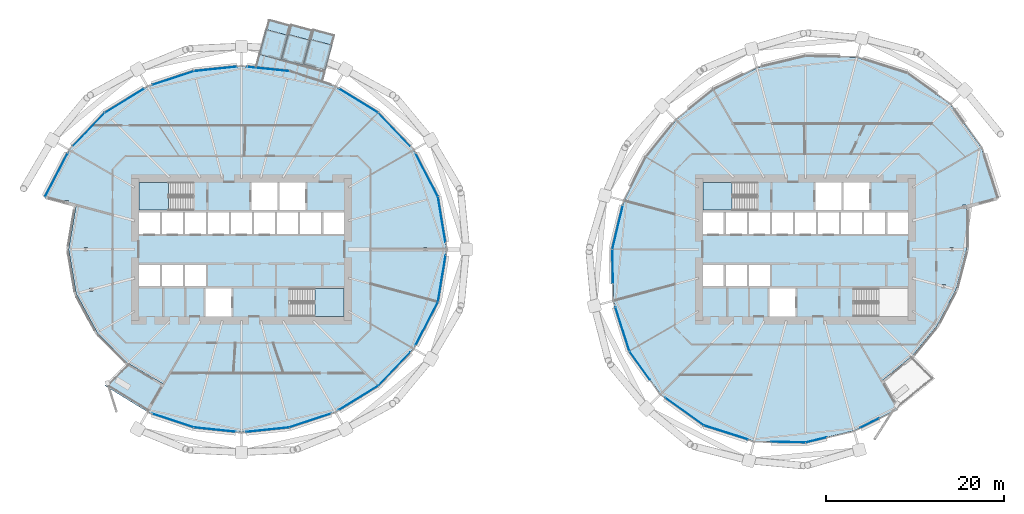
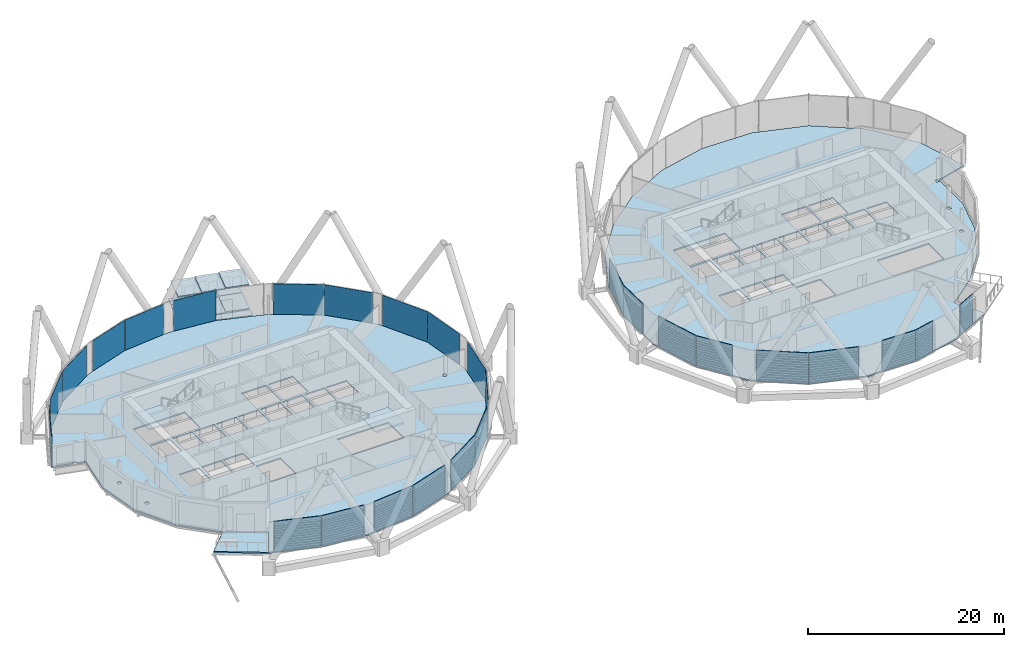
# One storey, part 22 of 40: 27 plates, 16 slabs, 5 elements without a shape of their own.
"""IFC4 building model written with IfcOpenShell, lengths in metres."""

from ifc_helpers import new_model, si_unit, direction, frame, origin, origin_2d, place, context, subcontext, project, spatial, polyline, rectangle, outline, extrude, material, layer, layer_set, type_object, element, aggregate, save


model = new_model("IFC4")

# Units and contexts
model_context = context("Model", 3, precision=1e-05, world=origin(), true_north=direction((0.0, 1.0)))
body_context = subcontext(model_context, "Body", "Model", "MODEL_VIEW")
ifc_project = project(units=[si_unit("LENGTHUNIT", "METRE"), si_unit("AREAUNIT", "SQUARE_METRE"), si_unit("VOLUMEUNIT", "CUBIC_METRE"), si_unit("PLANEANGLEUNIT", "RADIAN"), si_unit("MASSUNIT", "GRAM", prefix="KILO")], contexts=[model_context])

# Site, building, storey
site_placement = place(None, origin())
site = spatial("IfcSite", under=ifc_project, at=site_placement, CompositionType="ELEMENT")
building_placement = place(site_placement, origin())
building = spatial("IfcBuilding", under=site, at=building_placement, Name="Rimbun Link Towers", CompositionType="ELEMENT")
storey_placement = place(building_placement, frame((0.0, 0.0, 52.800048828125)))
storey = spatial("IfcBuildingStorey", under=building, at=storey_placement, Name="L12", CompositionType="ELEMENT", Elevation=52.800048828125)

# Slabs
ifc_material_1 = material(Name="Insulated metal floor panel on steel frame", Category="steel")
ifc_layer_1 = layer(ifc_material_1, 0.159912109375)
ifc_layer_set_1 = layer_set([ifc_layer_1], Name="CAPSULE balcony panel 160")
slab_type_1 = type_object("IfcSlabType", Name="CAPSULE balcony panel 160", PredefinedType="FLOOR", material=ifc_layer_set_1)
slab_1_placement = place(storey_placement, frame((0.0, 0.0, -0.16015625)))
element("IfcSlab", 1, at=slab_1_placement, inside=storey, type_object=slab_type_1, Name="CAPSULE D121.01 balcony floor", PredefinedType="FLOOR", context=body_context, shape_type="SweptSolid", body=[
    extrude(outline(polyline([(-26.317138671875, 25.168701171875), (-28.63330078125, 25.797119140625), (-28.92138671875, 24.735595703125), (-26.60498046875, 24.107177734375), (-26.317138671875, 25.168701171875)])), origin(), (0.0, 0.0, 1.0), 0.16015625),
])
slab_2_placement = place(storey_placement, frame((0.0, 0.0, -0.16015625)))
element("IfcSlab", 2, at=slab_2_placement, inside=storey, type_object=slab_type_1, Name="CAPSULE D121.02 balcony floor", PredefinedType="FLOOR", context=body_context, shape_type="SweptSolid", body=[
    extrude(outline(polyline([(-23.827392578125, 24.6171875), (-26.1435546875, 25.24560546875), (-26.431640625, 24.18408203125), (-24.115478515625, 23.5556640625), (-23.827392578125, 24.6171875)])), origin(), (0.0, 0.0, 1.0), 0.16015625),
])
slab_3_placement = place(storey_placement, frame((0.0, 0.0, -0.16015625)))
element("IfcSlab", 3, at=slab_3_placement, inside=storey, type_object=slab_type_1, Name="CAPSULE D121.03 balcony floor", PredefinedType="FLOOR", context=body_context, shape_type="SweptSolid", body=[
    extrude(outline(polyline([(-21.337646484375, 24.065673828125), (-23.654052734375, 24.694091796875), (-23.942138671875, 23.632568359375), (-21.625732421875, 23.004150390625), (-21.337646484375, 24.065673828125)])), origin(), (0.0, 0.0, 1.0), 0.16015625),
])
slab_4_placement = place(storey_placement, frame((0.0, 0.0, -0.16015625)))
element("IfcSlab", 4, at=slab_4_placement, inside=storey, type_object=slab_type_1, Name="CAPSULE D121 gallery floor", PredefinedType="FLOOR", context=body_context, shape_type="SweptSolid", body=[
    extrude(outline(polyline([(-25.95361328125, 20.0498046875), (-25.96923828125, 20.002197265625), (-24.602294921875, 19.54931640625), (-24.586669921875, 19.5966796875), (-22.670654296875, 18.9619140625), (-22.399658203125, 19.961181640625), (-29.72900390625, 21.949951171875), (-30.1015625, 20.576416015625), (-26.35009765625, 20.18115234375), (-25.95361328125, 20.0498046875)])), origin(), (0.0, 0.0, 1.0), 0.16015625),
])
ifc_material_2 = material(Name="Insulated metal floor panel on steel frame", Category="steel")
ifc_layer_2 = layer(ifc_material_2, 0.159912109375)
ifc_layer_set_2 = layer_set([ifc_layer_2], Name="CAPSULE floor panel 160")
slab_type_2 = type_object("IfcSlabType", Name="CAPSULE floor panel 160", PredefinedType="FLOOR", material=ifc_layer_set_2)
slab_5_placement = place(storey_placement, frame((0.0, 0.0, -0.16015625)))
element("IfcSlab", 5, at=slab_5_placement, inside=storey, type_object=slab_type_2, Name="CAPSULE D121.01 floor panel", PredefinedType="FLOOR", context=body_context, shape_type="SweptSolid", body=[
    extrude(outline(polyline([(-26.556884765625, 24.093994140625), (-28.969482421875, 24.748779296875), (-29.72900390625, 21.949951171875), (-27.316162109375, 21.295166015625), (-26.556884765625, 24.093994140625)])), origin(), (0.0, 0.0, 1.0), 0.16015625),
])
slab_6_placement = place(storey_placement, frame((0.0, 0.0, -0.16015625)))
element("IfcSlab", 6, at=slab_6_placement, inside=storey, type_object=slab_type_2, Name="CAPSULE D121.02 floor panel", PredefinedType="FLOOR", context=body_context, shape_type="SweptSolid", body=[
    extrude(outline(polyline([(-24.067138671875, 23.54248046875), (-26.47998046875, 24.197265625), (-27.2392578125, 21.3984375), (-24.82666015625, 20.74365234375), (-24.067138671875, 23.54248046875)])), origin(), (0.0, 0.0, 1.0), 0.16015625),
])
slab_7_placement = place(storey_placement, frame((0.0, 0.0, -0.16015625)))
element("IfcSlab", 7, at=slab_7_placement, inside=storey, type_object=slab_type_2, Name="CAPSULE D121.03 floor panel", PredefinedType="FLOOR", context=body_context, shape_type="SweptSolid", body=[
    extrude(outline(polyline([(-21.57763671875, 22.990966796875), (-23.990234375, 23.645751953125), (-24.749755859375, 20.846923828125), (-22.3369140625, 20.192138671875), (-21.57763671875, 22.990966796875)])), origin(), (0.0, 0.0, 1.0), 0.16015625),
])
ifc_material_3 = material(Name="Insulated metal roof panel with terracotta fascia", Category="masonry")
ifc_layer_3 = layer(ifc_material_3, 0.14990234375)
ifc_layer_set_3 = layer_set([ifc_layer_3], Name="CAPSULE roof panel 150")
slab_type_3 = type_object("IfcSlabType", Name="CAPSULE roof panel 150", PredefinedType="ROOF", material=ifc_layer_set_3)
slab_8_placement = place(storey_placement, frame((0.0, 0.0, 2.849853515625)))
element("IfcSlab", 8, at=slab_8_placement, inside=storey, type_object=slab_type_3, Name="CAPSULE D121.01 roof panel", PredefinedType="ROOF", context=body_context, shape_type="SweptSolid", body=[
    extrude(outline(polyline([(-26.556884765625, 24.093994140625), (-28.969482421875, 24.748779296875), (-29.72900390625, 21.949951171875), (-27.316162109375, 21.295166015625), (-26.556884765625, 24.093994140625)])), origin(), (0.0, 0.0, 1.0), 0.150146484375),
])
slab_9_placement = place(storey_placement, frame((0.0, 0.0, 2.849853515625)))
element("IfcSlab", 9, at=slab_9_placement, inside=storey, type_object=slab_type_3, Name="CAPSULE D121.02 roof panel", PredefinedType="ROOF", context=body_context, shape_type="SweptSolid", body=[
    extrude(outline(polyline([(-24.067138671875, 23.54248046875), (-26.47998046875, 24.197265625), (-27.2392578125, 21.3984375), (-24.82666015625, 20.74365234375), (-24.067138671875, 23.54248046875)])), origin(), (0.0, 0.0, 1.0), 0.150146484375),
])
slab_10_placement = place(storey_placement, frame((0.0, 0.0, 2.849853515625)))
element("IfcSlab", 10, at=slab_10_placement, inside=storey, type_object=slab_type_3, Name="CAPSULE D121.03 roof panel", PredefinedType="ROOF", context=body_context, shape_type="SweptSolid", body=[
    extrude(outline(polyline([(-21.57763671875, 22.990966796875), (-23.990234375, 23.645751953125), (-24.749755859375, 20.846923828125), (-22.3369140625, 20.192138671875), (-21.57763671875, 22.990966796875)])), origin(), (0.0, 0.0, 1.0), 0.150146484375),
])
ifc_material_4 = material(Name="Concrete C35/45", Category="concrete")
ifc_layer_4 = layer(ifc_material_4, 0.159912109375)
ifc_layer_set_4 = layer_set([ifc_layer_4], Name="COMPOSITE FLOOR 160")
slab_type_4 = type_object("IfcSlabType", Name="COMPOSITE FLOOR 160", PredefinedType="FLOOR", material=ifc_layer_set_4)
slab_11_placement = place(storey_placement, frame((0.0, 0.0, -0.16015625)))
element("IfcSlab", 11, at=slab_11_placement, inside=storey, type_object=slab_type_4, Name="Floor slab T1 L12", PredefinedType="FLOOR", context=body_context, shape_type="SweptSolid", body=[
    extrude(outline(polyline([(-53.847412109375, 5.9208984375), (-51.12353515625, 11.185302734375), (-47.115478515625, 15.365478515625), (-42.321044921875, 18.3095703125), (-37.117919921875, 20.03369140625), (-31.75, 20.59912109375), (-26.382080078125, 20.03369140625), (-21.178955078125, 18.3095703125), (-16.384521484375, 15.365478515625), (-12.37646484375, 11.185302734375), (-9.652587890625, 5.9208984375), (-8.678955078125, 0.0), (-9.652587890625, -5.9208984375), (-12.37646484375, -11.185302734375), (-16.384521484375, -15.365478515625), (-21.178955078125, -18.3095703125), (-26.382080078125, -20.03369140625), (-31.75, -20.59912109375), (-37.117919921875, -20.03369140625), (-42.321044921875, -18.3095703125), (-40.52099609375, -15.19189453125), (-44.570068359375, -12.820068359375), (-48.005859375, -9.38525390625), (-50.3701171875, -4.9892578125), (-51.220947265625, 0.0), (-50.3701171875, 4.9892578125), (-51.259033203125, 5.227294921875), (-51.259033203125, 5.477783203125), (-51.658203125, 5.477783203125), (-51.658203125, 5.33447265625), (-53.847412109375, 5.9208984375)]), holes=[polyline([(-32.89990234375, -7.550048828125), (-32.89990234375, -4.39990234375), (-35.800048828125, -4.39990234375), (-35.800048828125, -7.550048828125), (-32.89990234375, -7.550048828125)]), polyline([(-48.450927734375, -4.72509765625), (-48.450927734375, -4.33154296875), (-48.849853515625, -4.33154296875), (-48.849853515625, -4.72509765625), (-48.450927734375, -4.72509765625)]), polyline([(-40.95556640625, -4.14990234375), (-40.95556640625, -1.75), (-43.300048828125, -1.75), (-43.300048828125, -4.14990234375), (-40.95556640625, -4.14990234375)]), polyline([(-40.70556640625, -4.14990234375), (-38.361083984375, -4.14990234375), (-38.361083984375, -1.75), (-40.70556640625, -1.75), (-40.70556640625, -4.14990234375)]), polyline([(-38.111083984375, -4.14990234375), (-35.7666015625, -4.14990234375), (-35.7666015625, -1.75), (-38.111083984375, -1.75), (-38.111083984375, -4.14990234375)]), polyline([(-49.11279296875, -0.19677734375), (-49.11279296875, 0.19677734375), (-49.51171875, 0.19677734375), (-49.51171875, -0.19677734375), (-49.11279296875, -0.19677734375)]), polyline([(-40.95556640625, 1.75), (-40.95556640625, 4.14990234375), (-43.300048828125, 4.14990234375), (-43.300048828125, 1.75), (-40.95556640625, 1.75)]), polyline([(-38.361083984375, 1.75), (-38.361083984375, 4.14990234375), (-40.70556640625, 4.14990234375), (-40.70556640625, 1.75), (-38.361083984375, 1.75)]), polyline([(-38.111083984375, 1.75), (-35.7666015625, 1.75), (-35.7666015625, 4.14990234375), (-38.111083984375, 4.14990234375), (-38.111083984375, 1.75)]), polyline([(-37.260009765625, 4.39990234375), (-37.260009765625, 7.550048828125), (-43.300048828125, 7.550048828125), (-43.300048828125, 4.39990234375), (-37.260009765625, 4.39990234375)]), polyline([(-20.199951171875, -7.550048828125), (-20.199951171875, -4.39990234375), (-26.239990234375, -4.39990234375), (-26.239990234375, -7.550048828125), (-20.199951171875, -7.550048828125)]), polyline([(-10.85791015625, -0.19677734375), (-10.85791015625, 0.19677734375), (-11.2568359375, 0.19677734375), (-11.2568359375, -0.19677734375), (-10.85791015625, -0.19677734375)]), polyline([(-35.5166015625, 1.75), (-33.172119140625, 1.75), (-33.172119140625, 4.14990234375), (-35.5166015625, 4.14990234375), (-35.5166015625, 1.75)]), polyline([(-32.922119140625, 1.75), (-30.577880859375, 1.75), (-30.577880859375, 4.14990234375), (-32.922119140625, 4.14990234375), (-32.922119140625, 1.75)]), polyline([(-27.9833984375, 1.75), (-27.9833984375, 4.14990234375), (-30.327880859375, 4.14990234375), (-30.327880859375, 1.75), (-27.9833984375, 1.75)]), polyline([(-27.7333984375, 1.75), (-25.388916015625, 1.75), (-25.388916015625, 4.14990234375), (-27.7333984375, 4.14990234375), (-27.7333984375, 1.75)]), polyline([(-25.138916015625, 1.75), (-22.79443359375, 1.75), (-22.79443359375, 4.14990234375), (-25.138916015625, 4.14990234375), (-25.138916015625, 1.75)]), polyline([(-20.199951171875, 1.75), (-20.199951171875, 4.14990234375), (-22.54443359375, 4.14990234375), (-22.54443359375, 1.75), (-20.199951171875, 1.75)]), polyline([(-30.60009765625, 4.39990234375), (-27.699951171875, 4.39990234375), (-27.699951171875, 7.550048828125), (-30.60009765625, 7.550048828125), (-30.60009765625, 4.39990234375)]), polyline([(-27.449951171875, 4.39990234375), (-24.550048828125, 4.39990234375), (-24.550048828125, 7.550048828125), (-27.449951171875, 7.550048828125), (-27.449951171875, 4.39990234375)])]), origin(), (0.0, 0.0, 1.0), 0.16015625),
])
slab_12_placement = place(storey_placement, frame((0.0, 0.0, -0.16015625)))
element("IfcSlab", 12, at=slab_12_placement, inside=storey, type_object=slab_type_4, Name="Floor slab T2 L12", PredefinedType="FLOOR", context=body_context, shape_type="SweptSolid", body=[
    extrude(outline(polyline([(37.221923828125, -20.421630859375), (31.75, -21.730224609375), (25.960205078125, -21.6083984375), (20.3115234375, -19.81201171875), (15.436279296875, -16.313720703125), (11.93798828125, -11.4384765625), (10.1416015625, -5.789794921875), (10.019775390625, 0.0), (11.328369140625, 5.471923828125), (13.788330078125, 10.3701171875), (17.184326171875, 14.565673828125), (21.3798828125, 17.961669921875), (26.278076171875, 20.421630859375), (31.75, 21.730224609375), (37.539794921875, 21.6083984375), (43.1884765625, 19.81201171875), (48.063720703125, 16.313720703125), (51.56201171875, 11.4384765625), (53.3583984375, 5.789794921875), (49.880859375, 4.858154296875), (49.88037109375, 0.0), (48.6943359375, -4.540283203125), (46.593994140625, -8.5703125), (43.770263671875, -12.020263671875), (40.3203125, -14.843994140625), (42.1201171875, -17.961669921875), (37.221923828125, -20.421630859375)]), holes=[polyline([(30.60009765625, -7.550048828125), (30.60009765625, -4.39990234375), (27.699951171875, -4.39990234375), (27.699951171875, -7.550048828125), (30.60009765625, -7.550048828125)]), polyline([(22.54443359375, -4.14990234375), (22.54443359375, -1.75), (20.199951171875, -1.75), (20.199951171875, -4.14990234375), (22.54443359375, -4.14990234375)]), polyline([(25.138916015625, -4.14990234375), (25.138916015625, -1.75), (22.79443359375, -1.75), (22.79443359375, -4.14990234375), (25.138916015625, -4.14990234375)]), polyline([(25.388916015625, -4.14990234375), (27.7333984375, -4.14990234375), (27.7333984375, -1.75), (25.388916015625, -1.75), (25.388916015625, -4.14990234375)]), polyline([(20.199951171875, 1.75), (22.54443359375, 1.75), (22.54443359375, 4.14990234375), (20.199951171875, 4.14990234375), (20.199951171875, 1.75)]), polyline([(25.138916015625, 1.75), (25.138916015625, 4.14990234375), (22.79443359375, 4.14990234375), (22.79443359375, 1.75), (25.138916015625, 1.75)]), polyline([(27.7333984375, 1.75), (27.7333984375, 4.14990234375), (25.388916015625, 4.14990234375), (25.388916015625, 1.75), (27.7333984375, 1.75)]), polyline([(30.327880859375, 1.75), (30.327880859375, 4.14990234375), (27.9833984375, 4.14990234375), (27.9833984375, 1.75), (30.327880859375, 1.75)]), polyline([(30.577880859375, 1.75), (32.922119140625, 1.75), (32.922119140625, 4.14990234375), (30.577880859375, 4.14990234375), (30.577880859375, 1.75)]), polyline([(20.199951171875, 4.39990234375), (26.239990234375, 4.39990234375), (26.239990234375, 7.550048828125), (20.199951171875, 7.550048828125), (20.199951171875, 4.39990234375)]), polyline([(43.300048828125, -7.550048828125), (43.300048828125, -4.39990234375), (37.260009765625, -4.39990234375), (37.260009765625, -7.550048828125), (43.300048828125, -7.550048828125)]), polyline([(47.509765625, -4.3662109375), (47.509765625, -3.972412109375), (47.110595703125, -3.972412109375), (47.110595703125, -4.3662109375), (47.509765625, -4.3662109375)]), polyline([(48.434814453125, -0.19677734375), (48.434814453125, 0.19677734375), (48.03564453125, 0.19677734375), (48.03564453125, -0.19677734375), (48.434814453125, -0.19677734375)]), polyline([(33.172119140625, 1.75), (35.5166015625, 1.75), (35.5166015625, 4.14990234375), (33.172119140625, 4.14990234375), (33.172119140625, 1.75)]), polyline([(35.7666015625, 1.75), (38.111083984375, 1.75), (38.111083984375, 4.14990234375), (35.7666015625, 4.14990234375), (35.7666015625, 1.75)]), polyline([(40.70556640625, 1.75), (40.70556640625, 4.14990234375), (38.361083984375, 4.14990234375), (38.361083984375, 1.75), (40.70556640625, 1.75)]), polyline([(43.300048828125, 1.75), (43.300048828125, 4.14990234375), (40.95556640625, 4.14990234375), (40.95556640625, 1.75), (43.300048828125, 1.75)]), polyline([(49.837890625, 4.596435546875), (49.837890625, 4.989990234375), (49.43896484375, 4.989990234375), (49.43896484375, 4.596435546875), (49.837890625, 4.596435546875)]), polyline([(32.89990234375, 4.39990234375), (35.800048828125, 4.39990234375), (35.800048828125, 7.550048828125), (32.89990234375, 7.550048828125), (32.89990234375, 4.39990234375)]), polyline([(36.050048828125, 4.39990234375), (38.949951171875, 4.39990234375), (38.949951171875, 7.550048828125), (36.050048828125, 7.550048828125), (36.050048828125, 4.39990234375)])]), origin(), (0.0, 0.0, 1.0), 0.16015625),
])

# Curtain wall, plate
ifc_material_5 = material(Name="Aluminium 6063-T6 and low-iron glass", Category="aluminium")
curtain_wall_type = type_object("IfcCurtainWallType", Name="CW1 unitised vision wall", PredefinedType="NOTDEFINED", material=ifc_material_5)
curtain_wall_1_placement = place(storey_placement, origin())
curtain_wall_1 = element("IfcCurtainWall", 13, at=curtain_wall_1_placement, inside=storey, type_object=curtain_wall_type, Name="CW1 L12 T2", PredefinedType="NOTDEFINED")
ifc_material_6 = material(Name="Aluminium cladding, insulated panel", Category="aluminium")
ifc_layer_5 = layer(ifc_material_6, 0.028076171875)
ifc_layer_set_5 = layer_set([ifc_layer_5], Name="CW1 insulated panel Aluminium cladding 28")
plate_type_1 = type_object("IfcPlateType", Name="CW1 insulated panel Aluminium cladding 28", PredefinedType="CURTAIN_PANEL", material=ifc_layer_set_5)
plate_1_placement = place(storey_placement, frame((38.96240234375, -19.563232421875, 0.0), z_axis=(0.0, 0.0, 1.0), x_axis=(-0.893637652343, -0.448789200311, 0.0)))
plate_1 = element("IfcPlate", 14, at=plate_1_placement, type_object=plate_type_1, Name="CW1 insulated panel", PredefinedType="CURTAIN_PANEL", context=body_context, shape_type="SweptSolid", body=[
    extrude(rectangle(XDim=2.34130859375, YDim=0.028076171875, at=origin_2d()), origin(), (0.0, 0.0, 1.0), 3.800048828125),
])

# Curtain wall, plates
curtain_wall_2_placement = place(storey_placement, origin())
curtain_wall_2 = element("IfcCurtainWall", 15, at=curtain_wall_2_placement, inside=storey, type_object=curtain_wall_type, Name="CW1 L12 T1", PredefinedType="NOTDEFINED")
ifc_material_7 = material(Name="Low-iron glass, laminated low-e unit", Category="glass")
ifc_layer_6 = layer(ifc_material_7, 0.028076171875)
ifc_layer_set_6 = layer_set([ifc_layer_6], Name="CW1 panel Low-iron glass 28")
plate_type_2 = type_object("IfcPlateType", Name="CW1 panel Low-iron glass 28", PredefinedType="CURTAIN_PANEL", material=ifc_layer_set_6)
plate_2_placement = place(storey_placement, frame((-9.217041015625, 3.357421875, 0.0), z_axis=(0.0, 0.0, 1.0), x_axis=(0.162269061749, -0.986746548815, 0.0)))
plate_2 = element("IfcPlate", 16, at=plate_2_placement, type_object=plate_type_2, Name="CW1 panel", PredefinedType="CURTAIN_PANEL", context=body_context, shape_type="SweptSolid", body=[
    extrude(rectangle(XDim=5.16064453125, YDim=0.028076171875, at=origin_2d()), origin(), (0.0, 0.0, 1.0), 3.800048828125),
])
plate_3_placement = place(storey_placement, frame((-10.898681640625, 8.35986328125, 0.0), z_axis=(0.0, 0.0, 1.0), x_axis=(0.459540871589, -0.888156623203, 0.0)))
plate_3 = element("IfcPlate", 17, at=plate_3_placement, type_object=plate_type_2, Name="CW1 panel", PredefinedType="CURTAIN_PANEL", context=body_context, shape_type="SweptSolid", body=[
    extrude(rectangle(XDim=5.437255859375, YDim=0.028076171875, at=origin_2d()), origin(), (0.0, 0.0, 1.0), 3.800048828125),
])
plate_4_placement = place(storey_placement, frame((-14.560546875, 13.483642578125, 0.0), z_axis=(0.0, 0.0, 1.0), x_axis=(0.692065488922, -0.721834717261, 0.0)))
plate_4 = element("IfcPlate", 18, at=plate_4_placement, type_object=plate_type_2, Name="CW1 panel", PredefinedType="CURTAIN_PANEL", context=body_context, shape_type="SweptSolid", body=[
    extrude(rectangle(XDim=5.201171875, YDim=0.028076171875, at=origin_2d()), origin(), (0.0, 0.0, 1.0), 3.800048828125),
])
plate_5_placement = place(storey_placement, frame((-18.58251953125, 16.731689453125, 0.0), z_axis=(0.0, 0.0, 1.0), x_axis=(0.852183322336, -0.523243332621, 0.0)))
plate_5 = element("IfcPlate", 19, at=plate_5_placement, type_object=plate_type_2, Name="CW1 panel", PredefinedType="CURTAIN_PANEL", context=body_context, shape_type="SweptSolid", body=[
    extrude(rectangle(XDim=5.13623046875, YDim=0.028076171875, at=origin_2d()), origin(), (0.0, 0.0, 1.0), 3.800048828125),
])
plate_6_placement = place(storey_placement, frame((-28.7412109375, 20.29638671875, 0.0), z_axis=(0.0, 0.0, 1.0), x_axis=(0.994498750915, -0.104748434017, 0.0)))
plate_6 = element("IfcPlate", 20, at=plate_6_placement, type_object=plate_type_2, Name="CW1 panel", PredefinedType="CURTAIN_PANEL", context=body_context, shape_type="SweptSolid", body=[
    extrude(rectangle(XDim=4.707763671875, YDim=0.028076171875, at=origin_2d()), origin(), (0.0, 0.0, 1.0), 3.800048828125),
])
plate_7_placement = place(storey_placement, frame((-34.68408203125, 20.30419921875, 0.0), z_axis=(0.0, 0.0, 1.0), x_axis=(0.994498750915, 0.104748434017, 0.0)))
plate_7 = element("IfcPlate", 21, at=plate_7_placement, type_object=plate_type_2, Name="CW1 panel", PredefinedType="CURTAIN_PANEL", context=body_context, shape_type="SweptSolid", body=[
    extrude(rectangle(XDim=4.857666015625, YDim=0.028076171875, at=origin_2d()), origin(), (0.0, 0.0, 1.0), 3.800048828125),
])
plate_8_placement = place(storey_placement, frame((-39.462890625, 19.271484375, 0.0), z_axis=(0.0, 0.0, 1.0), x_axis=(0.949236457235, 0.314563424855, 0.0)))
plate_8 = element("IfcPlate", 22, at=plate_8_placement, type_object=plate_type_2, Name="CW1 panel", PredefinedType="CURTAIN_PANEL", context=body_context, shape_type="SweptSolid", body=[
    extrude(rectangle(XDim=4.891357421875, YDim=0.028076171875, at=origin_2d()), origin(), (0.0, 0.0, 1.0), 3.800048828125),
])
plate_9_placement = place(storey_placement, frame((-44.91748046875, 16.731689453125, 0.0), z_axis=(0.0, 0.0, 1.0), x_axis=(0.852183322336, 0.523243332621, 0.0)))
plate_9 = element("IfcPlate", 23, at=plate_9_placement, type_object=plate_type_2, Name="CW1 panel", PredefinedType="CURTAIN_PANEL", context=body_context, shape_type="SweptSolid", body=[
    extrude(rectangle(XDim=5.13623046875, YDim=0.028076171875, at=origin_2d()), origin(), (0.0, 0.0, 1.0), 3.800048828125),
])
plate_10_placement = place(storey_placement, frame((-48.939453125, 13.483642578125, 0.0), z_axis=(0.0, 0.0, 1.0), x_axis=(0.692065488922, 0.721834717261, 0.0)))
plate_10 = element("IfcPlate", 24, at=plate_10_placement, type_object=plate_type_2, Name="CW1 panel", PredefinedType="CURTAIN_PANEL", context=body_context, shape_type="SweptSolid", body=[
    extrude(rectangle(XDim=5.201171875, YDim=0.028076171875, at=origin_2d()), origin(), (0.0, 0.0, 1.0), 3.800048828125),
])
plate_11_placement = place(storey_placement, frame((-52.601318359375, 8.35986328125, 0.0), z_axis=(0.0, 0.0, 1.0), x_axis=(0.459540871589, 0.888156623203, 0.0)))
plate_11 = element("IfcPlate", 25, at=plate_11_placement, type_object=plate_type_2, Name="CW1 panel", PredefinedType="CURTAIN_PANEL", context=body_context, shape_type="SweptSolid", body=[
    extrude(rectangle(XDim=5.437255859375, YDim=0.028076171875, at=origin_2d()), origin(), (0.0, 0.0, 1.0), 3.800048828125),
])
plate_12_placement = place(storey_placement, frame((-39.462890625, -19.271484375, 0.0), z_axis=(0.0, 0.0, 1.0), x_axis=(-0.949236457235, 0.314563424855, 0.0)))
plate_12 = element("IfcPlate", 26, at=plate_12_placement, type_object=plate_type_2, Name="CW1 panel", PredefinedType="CURTAIN_PANEL", context=body_context, shape_type="SweptSolid", body=[
    extrude(rectangle(XDim=4.891357421875, YDim=0.028076171875, at=origin_2d()), origin(), (0.0, 0.0, 1.0), 3.800048828125),
])
plate_13_placement = place(storey_placement, frame((-34.7587890625, -20.29638671875, 0.0), z_axis=(0.0, 0.0, 1.0), x_axis=(-0.994498750915, 0.104748434017, 0.0)))
plate_13 = element("IfcPlate", 27, at=plate_13_placement, type_object=plate_type_2, Name="CW1 panel", PredefinedType="CURTAIN_PANEL", context=body_context, shape_type="SweptSolid", body=[
    extrude(rectangle(XDim=4.707763671875, YDim=0.028076171875, at=origin_2d()), origin(), (0.0, 0.0, 1.0), 3.800048828125),
])
plate_14_placement = place(storey_placement, frame((-28.81591796875, -20.30419921875, 0.0), z_axis=(0.0, 0.0, 1.0), x_axis=(-0.994498750915, -0.104748434017, 0.0)))
plate_14 = element("IfcPlate", 28, at=plate_14_placement, type_object=plate_type_2, Name="CW1 panel", PredefinedType="CURTAIN_PANEL", context=body_context, shape_type="SweptSolid", body=[
    extrude(rectangle(XDim=4.857666015625, YDim=0.028076171875, at=origin_2d()), origin(), (0.0, 0.0, 1.0), 3.800048828125),
])
plate_15_placement = place(storey_placement, frame((-24.037109375, -19.271484375, 0.0), z_axis=(0.0, 0.0, 1.0), x_axis=(-0.949236457235, -0.314563424855, 0.0)))
plate_15 = element("IfcPlate", 29, at=plate_15_placement, type_object=plate_type_2, Name="CW1 panel", PredefinedType="CURTAIN_PANEL", context=body_context, shape_type="SweptSolid", body=[
    extrude(rectangle(XDim=4.891357421875, YDim=0.028076171875, at=origin_2d()), origin(), (0.0, 0.0, 1.0), 3.800048828125),
])
plate_16_placement = place(storey_placement, frame((-18.58251953125, -16.731689453125, 0.0), z_axis=(0.0, 0.0, 1.0), x_axis=(-0.852183322336, -0.523243332621, 0.0)))
plate_16 = element("IfcPlate", 30, at=plate_16_placement, type_object=plate_type_2, Name="CW1 panel", PredefinedType="CURTAIN_PANEL", context=body_context, shape_type="SweptSolid", body=[
    extrude(rectangle(XDim=5.13623046875, YDim=0.028076171875, at=origin_2d()), origin(), (0.0, 0.0, 1.0), 3.800048828125),
])
plate_17_placement = place(storey_placement, frame((-14.560546875, -13.483642578125, 0.0), z_axis=(0.0, 0.0, 1.0), x_axis=(-0.692065488922, -0.721834717261, 0.0)))
plate_17 = element("IfcPlate", 31, at=plate_17_placement, type_object=plate_type_2, Name="CW1 panel", PredefinedType="CURTAIN_PANEL", context=body_context, shape_type="SweptSolid", body=[
    extrude(rectangle(XDim=5.201171875, YDim=0.028076171875, at=origin_2d()), origin(), (0.0, 0.0, 1.0), 3.800048828125),
])
plate_18_placement = place(storey_placement, frame((-10.898681640625, -8.35986328125, 0.0), z_axis=(0.0, 0.0, 1.0), x_axis=(-0.459540871589, -0.888156623203, 0.0)))
plate_18 = element("IfcPlate", 32, at=plate_18_placement, type_object=plate_type_2, Name="CW1 panel", PredefinedType="CURTAIN_PANEL", context=body_context, shape_type="SweptSolid", body=[
    extrude(rectangle(XDim=5.437255859375, YDim=0.028076171875, at=origin_2d()), origin(), (0.0, 0.0, 1.0), 3.800048828125),
])
plate_19_placement = place(storey_placement, frame((-9.208740234375, -3.30810546875, 0.0), z_axis=(0.0, 0.0, 1.0), x_axis=(-0.162269061749, -0.986746548815, 0.0)))
plate_19 = element("IfcPlate", 33, at=plate_19_placement, type_object=plate_type_2, Name="CW1 panel", PredefinedType="CURTAIN_PANEL", context=body_context, shape_type="SweptSolid", body=[
    extrude(rectangle(XDim=5.260498046875, YDim=0.028076171875, at=origin_2d()), origin(), (0.0, 0.0, 1.0), 3.800048828125),
])
aggregate(curtain_wall_2, [plate_2, plate_3, plate_4, plate_5, plate_6, plate_7, plate_8, plate_9, plate_10, plate_11, plate_12, plate_13, plate_14, plate_15, plate_16, plate_17, plate_18, plate_19])

# Plate
plate_20_placement = place(storey_placement, frame((10.596435546875, 2.4716796875, 0.0), z_axis=(0.0, 0.0, 1.0), x_axis=(0.232603182737, 0.972571724543, 0.0)))
plate_20 = element("IfcPlate", 34, at=plate_20_placement, type_object=plate_type_2, Name="CW1 panel", PredefinedType="CURTAIN_PANEL", context=body_context, shape_type="SweptSolid", body=[
    extrude(rectangle(XDim=5.036376953125, YDim=0.028076171875, at=origin_2d()), origin(), (0.0, 0.0, 1.0), 3.800048828125),
])

plate_21_placement = place(storey_placement, frame((10.046142578125, -1.92041015625, 0.0), z_axis=(0.0, 0.0, 1.0), x_axis=(-0.02106649948, 0.999778076675, 0.0)))
plate_21 = element("IfcPlate", 35, at=plate_21_placement, type_object=plate_type_2, Name="CW1 panel", PredefinedType="CURTAIN_PANEL", context=body_context, shape_type="SweptSolid", body=[
    extrude(rectangle(XDim=3.80126953125, YDim=0.028076171875, at=origin_2d()), origin(), (0.0, 0.0, 1.0), 3.800048828125),
])

plate_22_placement = place(storey_placement, frame((11.14013671875, -8.975830078125, 0.0), z_axis=(0.0, 0.0, 1.0), x_axis=(-0.303073433186, 0.952967205153, 0.0)))
plate_22 = element("IfcPlate", 36, at=plate_22_placement, type_object=plate_type_2, Name="CW1 panel", PredefinedType="CURTAIN_PANEL", context=body_context, shape_type="SweptSolid", body=[
    extrude(rectangle(XDim=5.13720703125, YDim=0.028076171875, at=origin_2d()), origin(), (0.0, 0.0, 1.0), 3.800048828125),
])

plate_23_placement = place(storey_placement, frame((13.107421875, -13.092041015625, 0.0), z_axis=(0.0, 0.0, 1.0), x_axis=(-0.583004026034, 0.812469264421, 0.0)))
plate_23 = element("IfcPlate", 37, at=plate_23_placement, type_object=plate_type_2, Name="CW1 panel", PredefinedType="CURTAIN_PANEL", context=body_context, shape_type="SweptSolid", body=[
    extrude(rectangle(XDim=4.010498046875, YDim=0.028076171875, at=origin_2d()), origin(), (0.0, 0.0, 1.0), 3.800048828125),
])

plate_24_placement = place(storey_placement, frame((18.1298828125, -18.263671875, 0.0), z_axis=(0.0, 0.0, 1.0), x_axis=(-0.812469264421, 0.583004026034, 0.0)))
plate_24 = element("IfcPlate", 38, at=plate_24_placement, type_object=plate_type_2, Name="CW1 panel", PredefinedType="CURTAIN_PANEL", context=body_context, shape_type="SweptSolid", body=[
    extrude(rectangle(XDim=5.310546875, YDim=0.028076171875, at=origin_2d()), origin(), (0.0, 0.0, 1.0), 3.800048828125),
])

plate_25_placement = place(storey_placement, frame((22.798095703125, -20.617431640625, 0.0), z_axis=(0.0, 0.0, 1.0), x_axis=(-0.952967205153, 0.303073433186, 0.0)))
plate_25 = element("IfcPlate", 39, at=plate_25_placement, type_object=plate_type_2, Name="CW1 panel", PredefinedType="CURTAIN_PANEL", context=body_context, shape_type="SweptSolid", body=[
    extrude(rectangle(XDim=5.187255859375, YDim=0.028076171875, at=origin_2d()), origin(), (0.0, 0.0, 1.0), 3.800048828125),
])

plate_26_placement = place(storey_placement, frame((29.804443359375, -21.703369140625, 0.0), z_axis=(0.0, 0.0, 1.0), x_axis=(-0.999778076675, 0.02106649948, 0.0)))
plate_26 = element("IfcPlate", 40, at=plate_26_placement, type_object=plate_type_2, Name="CW1 panel", PredefinedType="CURTAIN_PANEL", context=body_context, shape_type="SweptSolid", body=[
    extrude(rectangle(XDim=3.85107421875, YDim=0.028076171875, at=origin_2d()), origin(), (0.0, 0.0, 1.0), 3.800048828125),
])

plate_27_placement = place(storey_placement, frame((32.93310546875, -21.461669921875, 0.0), z_axis=(0.0, 0.0, 1.0), x_axis=(-0.972571724543, -0.232603182737, 0.0)))
plate_27 = element("IfcPlate", 41, at=plate_27_placement, type_object=plate_type_2, Name="CW1 panel", PredefinedType="CURTAIN_PANEL", context=body_context, shape_type="SweptSolid", body=[
    extrude(rectangle(XDim=2.38623046875, YDim=0.028076171875, at=origin_2d()), origin(), (0.0, 0.0, 1.0), 3.800048828125),
])

aggregate(curtain_wall_1, [plate_20, plate_21, plate_22, plate_23, plate_24, plate_25, plate_26, plate_27, plate_1])

# Stair, slab
ifc_material_8 = material(Name="Concrete C40/50", Category="concrete")
stair_type = type_object("IfcStairType", Name="Exit stair 3800 rise", PredefinedType="HALF_TURN_STAIR", material=ifc_material_8)
stair_1_placement = place(storey_placement, origin())
stair_1 = element("IfcStair", 42, at=stair_1_placement, inside=storey, type_object=stair_type, Name="L12 EXIT STAIR A", PredefinedType="HALF_TURN_STAIR")
ifc_material_9 = material(Name="Concrete C40/50", Category="concrete")
ifc_layer_7 = layer(ifc_material_9, 0.199951171875)
ifc_layer_set_7 = layer_set([ifc_layer_7], Name="Stair landing")
slab_type_5 = type_object("IfcSlabType", Name="Stair landing", PredefinedType="LANDING", material=ifc_layer_set_7)
slab_13_placement = place(storey_placement, frame((0.0, 0.0, 1.699951171875)))
slab_13 = element("IfcSlab", 43, at=slab_13_placement, type_object=slab_type_5, Name="ST1 landing 1", PredefinedType="LANDING", context=body_context, shape_type="SweptSolid", body=[
    extrude(outline(polyline([(-40.0, 7.550048828125), (-43.300048828125, 7.550048828125), (-43.300048828125, 4.39990234375), (-40.0, 4.39990234375), (-40.0, 7.550048828125)])), origin(), (0.0, 0.0, 1.0), 0.199951171875),
])
aggregate(stair_1, [slab_13])

stair_2_placement = place(storey_placement, origin())
stair_2 = element("IfcStair", 44, at=stair_2_placement, inside=storey, type_object=stair_type, Name="L12 EXIT STAIR B", PredefinedType="HALF_TURN_STAIR")
slab_14_placement = place(storey_placement, frame((0.0, 0.0, 1.699951171875)))
slab_14 = element("IfcSlab", 45, at=slab_14_placement, type_object=slab_type_5, Name="ST2 landing 1", PredefinedType="LANDING", context=body_context, shape_type="SweptSolid", body=[
    extrude(outline(polyline([(-23.5, -7.550048828125), (-20.199951171875, -7.550048828125), (-20.199951171875, -4.39990234375), (-23.5, -4.39990234375), (-23.5, -7.550048828125)])), origin(), (0.0, 0.0, 1.0), 0.199951171875),
])
aggregate(stair_2, [slab_14])

stair_3_placement = place(storey_placement, origin())
stair_3 = element("IfcStair", 46, at=stair_3_placement, inside=storey, type_object=stair_type, Name="L12 EXIT STAIR A", PredefinedType="HALF_TURN_STAIR")
slab_15_placement = place(storey_placement, frame((0.0, 0.0, 1.699951171875)))
slab_15 = element("IfcSlab", 47, at=slab_15_placement, type_object=slab_type_5, Name="ST3 landing 1", PredefinedType="LANDING", context=body_context, shape_type="SweptSolid", body=[
    extrude(outline(polyline([(23.5, 7.550048828125), (20.199951171875, 7.550048828125), (20.199951171875, 4.39990234375), (23.5, 4.39990234375), (23.5, 7.550048828125)])), origin(), (0.0, 0.0, 1.0), 0.199951171875),
])
aggregate(stair_3, [slab_15])

# Slab
ifc_material_10 = material(Name="Concrete C35/45", Category="concrete")
ifc_layer_8 = layer(ifc_material_10, 0.159912109375)
ifc_layer_set_8 = layer_set([ifc_layer_8], Name="TERRACE SLAB 160")
slab_type_6 = type_object("IfcSlabType", Name="TERRACE SLAB 160", PredefinedType="FLOOR", material=ifc_layer_set_8)
slab_16_placement = place(storey_placement, frame((0.0, 0.0, -0.16015625)))
element("IfcSlab", 48, at=slab_16_placement, inside=storey, type_object=slab_type_6, Name="Terrace slab T1 L12", PredefinedType="FLOOR", context=body_context, shape_type="SweptSolid", body=[
    extrude(outline(polyline([(-44.570068359375, -12.820068359375), (-40.52099609375, -15.19189453125), (-42.321044921875, -18.3095703125), (-47.115478515625, -15.365478515625), (-44.570068359375, -12.820068359375)])), origin(), (0.0, 0.0, 1.0), 0.16015625),
])

save(model, "model.ifc")
